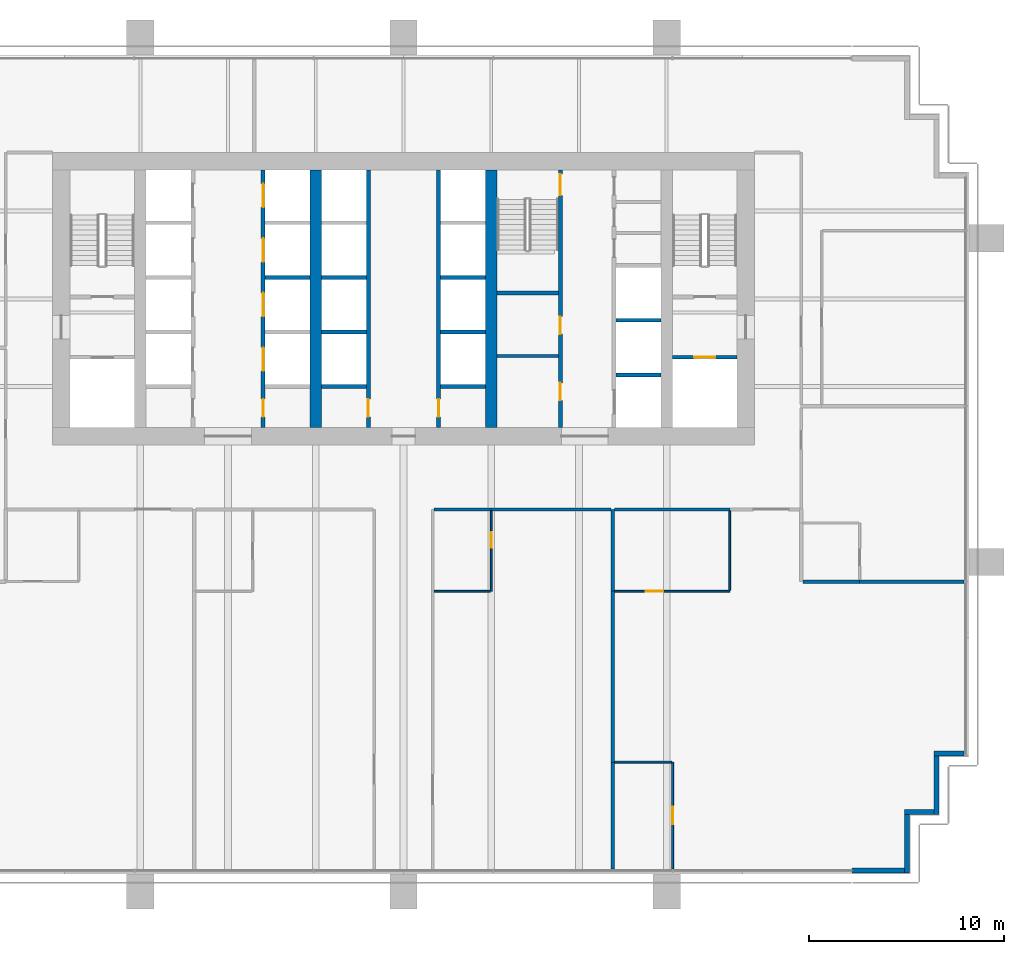
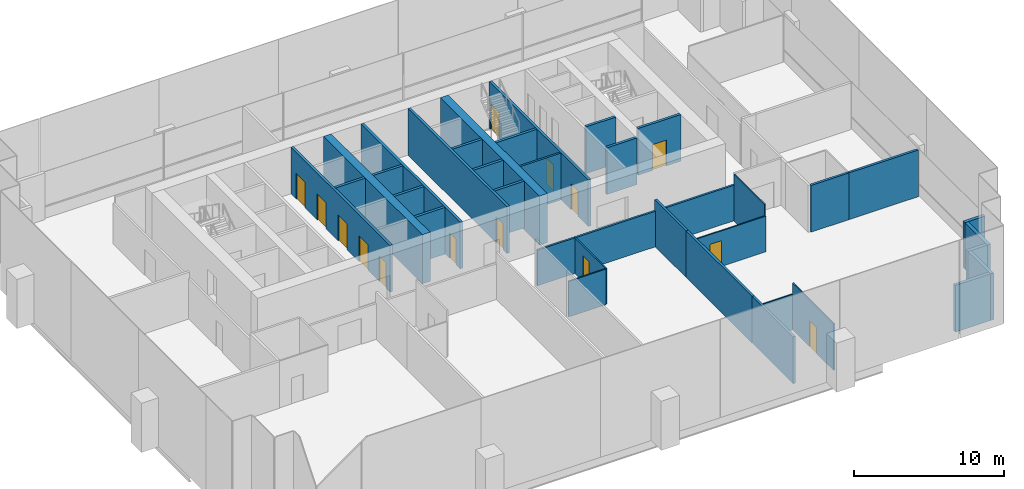
# One storey, part 11 of 16: 37 walls, 14 doors, 14 openings.
"""IFC4 building model written with IfcOpenShell, lengths in metres."""

from ifc_helpers import new_model, si_unit, direction, frame, frame_2d, origin, place, context, subcontext, project, spatial, rectangle, extrude, material, layer, layer_set, type_object, element, fill, save


model = new_model("IFC4")

# Units and contexts
model_context = context("Model", 3, precision=1e-05, world=origin(), true_north=direction((0.0, 1.0)))
body_context = subcontext(model_context, "Body", "Model", "MODEL_VIEW")
ifc_project = project(units=[si_unit("LENGTHUNIT", "METRE"), si_unit("AREAUNIT", "SQUARE_METRE"), si_unit("VOLUMEUNIT", "CUBIC_METRE"), si_unit("PLANEANGLEUNIT", "RADIAN"), si_unit("MASSUNIT", "GRAM", prefix="KILO")], contexts=[model_context])

# Site, building, storey
site_placement = place(None, origin())
site = spatial("IfcSite", under=ifc_project, at=site_placement, CompositionType="ELEMENT")
building_placement = place(site_placement, origin())
building = spatial("IfcBuilding", under=site, at=building_placement, Name="Rattan Terrace Tower", CompositionType="ELEMENT")
storey_placement = place(building_placement, frame((0.0, 0.0, 150.10009765625)))
storey = spatial("IfcBuildingStorey", under=building, at=storey_placement, Name="L34", CompositionType="ELEMENT", Elevation=150.10009765625)

# Wall
ifc_material_1 = material(Name="Gypsum board partition")
ifc_layer_1 = layer(ifc_material_1, 0.14990234375)
ifc_layer_set_1 = layer_set([ifc_layer_1], Name="Core partition 150")
wall_type_1 = type_object("IfcWallType", Name="Core partition 150", PredefinedType="PARTITIONING", material=ifc_layer_set_1)
wall_1_placement = place(storey_placement, frame((4.800048828125, -2.927978515625, 0.0), z_axis=(0.0, 0.0, 1.0), x_axis=(1.0, 0.0, 0.0)))
element("IfcWall", 1, at=wall_1_placement, inside=storey, type_object=wall_type_1, Name="Toilet wall", PredefinedType="PARTITIONING", context=body_context, shape_type="SweptSolid", body=[
    extrude(rectangle(XDim=3.14990234375, YDim=0.14990234375, at=frame_2d((1.574951171875, 0.0))), origin(), (0.0, 0.0, 1.0), 3.7998046875),
])

# Wall, opening, door
ifc_material_2 = material(Name="Gypsum board partition")
ifc_layer_2 = layer(ifc_material_2, 0.199951171875)
ifc_layer_set_2 = layer_set([ifc_layer_2], Name="Core partition 200")
wall_type_2 = type_object("IfcWallType", Name="Core partition 200", PredefinedType="PARTITIONING", material=ifc_layer_set_2)
wall_2_placement = place(storey_placement, frame((13.800048828125, -3.0, 0.0), z_axis=(0.0, 0.0, 1.0), x_axis=(1.0, 0.0, 0.0)))
wall_2 = element("IfcWall", 2, at=wall_2_placement, inside=storey, type_object=wall_type_2, Name="Fire-fighting lobby wall", PredefinedType="PARTITIONING", context=body_context, shape_type="SweptSolid", body=[
    extrude(rectangle(XDim=3.300048828125, YDim=0.199951171875, at=frame_2d((1.64990234375, 0.0))), origin(), (0.0, 0.0, 1.0), 3.7998046875),
])
opening_1_placement = place(wall_2_placement, frame((1.10009765625, 0.0, 0.0)))
opening_1 = element("IfcOpeningElement", 3, at=opening_1_placement, cuts=wall_2, Name="Opening L34-LD-FF2", PredefinedType="OPENING", context=body_context, shape_type="SweptSolid", body=[
    extrude(rectangle(XDim=1.10009765625, YDim=2.10009765625, at=frame_2d((0.550048828125, 1.050048828125))), frame((0.0, 0.110595703125, 0.0), z_axis=(0.0, -1.0, 0.0), x_axis=(1.0, 0.0, 0.0)), (0.0, 0.0, 1.0), 0.220947265625),
])
ifc_material_3 = material(Name="Brushed stainless landing door panel")
door_type_1 = type_object("IfcDoorType", Name="Core lift landing door 1100", OperationType="DOUBLE_DOOR_SLIDING", PredefinedType="DOOR", material=ifc_material_3)
door_1_placement = place(opening_1_placement, origin())
door_1 = element("IfcDoor", 4, at=door_1_placement, inside=storey, type_object=door_type_1, Name="Door L34-LD-FF2", OperationType="DOUBLE_DOOR_SLIDING", OverallHeight=2.10009765625, OverallWidth=1.10009765625, PredefinedType="DOOR", context=body_context, shape_type="SweptSolid", body=[
    extrude(rectangle(XDim=1.10009765625, YDim=2.10009765625, at=frame_2d((0.550048828125, 1.050048828125))), frame((0.0, 0.02490234375, 0.0), z_axis=(0.0, -1.0, 0.0), x_axis=(1.0, 0.0, 0.0)), (0.0, 0.0, 1.0), 0.050048828125),
])
fill(opening_1, door_1)

# Wall, openings, doors
wall_3_placement = place(storey_placement, frame((8.050048828125, -6.60009765625, 0.0), z_axis=(0.0, 0.0, 1.0), x_axis=(0.0, 1.0, 0.0)))
wall_3 = element("IfcWall", 5, at=wall_3_placement, inside=storey, type_object=wall_type_2, Name="Lobby wall west", PredefinedType="PARTITIONING", context=body_context, shape_type="SweptSolid", body=[
    extrude(rectangle(XDim=13.2001953125, YDim=0.199951171875, at=frame_2d((6.60009765625, 0.0))), origin(), (0.0, 0.0, 1.0), 3.7998046875),
])
opening_2_placement = place(wall_3_placement, frame((1.385986328125, 0.0, 0.0)))
opening_2 = element("IfcOpeningElement", 6, at=opening_2_placement, cuts=wall_3, Name="Opening L34-D011", PredefinedType="OPENING", context=body_context, shape_type="SweptSolid", body=[
    extrude(rectangle(XDim=0.89990234375, YDim=2.10009765625, at=frame_2d((0.449951171875, 1.050048828125))), frame((0.0, 0.110595703125, 0.0), z_axis=(0.0, -1.0, 0.0), x_axis=(1.0, 0.0, 0.0)), (0.0, 0.0, 1.0), 0.220947265625),
])
opening_3_placement = place(wall_3_placement, frame((4.785888671875, 0.0, 0.0)))
opening_3 = element("IfcOpeningElement", 7, at=opening_3_placement, cuts=wall_3, Name="Opening L34-D012", PredefinedType="OPENING", context=body_context, shape_type="SweptSolid", body=[
    extrude(rectangle(XDim=0.89990234375, YDim=2.10009765625, at=frame_2d((0.449951171875, 1.050048828125))), frame((0.0, 0.110595703125, 0.0), z_axis=(0.0, -1.0, 0.0), x_axis=(1.0, 0.0, 0.0)), (0.0, 0.0, 1.0), 0.220947265625),
])
opening_4_placement = place(wall_3_placement, frame((11.89990234375, 0.0, 0.0)))
opening_4 = element("IfcOpeningElement", 8, at=opening_4_placement, cuts=wall_3, Name="Opening L34-D013", PredefinedType="OPENING", context=body_context, shape_type="SweptSolid", body=[
    extrude(rectangle(XDim=1.10009765625, YDim=2.10009765625, at=frame_2d((0.550048828125, 1.050048828125))), frame((0.0, 0.110595703125, 0.0), z_axis=(0.0, -1.0, 0.0), x_axis=(1.0, 0.0, 0.0)), (0.0, 0.0, 1.0), 0.220947265625),
])
ifc_material_4 = material(Name="Hollow-metal fire door leaf")
door_type_2 = type_object("IfcDoorType", Name="Core stair door 1100", OperationType="NOTDEFINED", PredefinedType="DOOR", material=ifc_material_4)
door_2_placement = place(opening_4_placement, origin())
door_2 = element("IfcDoor", 9, at=door_2_placement, inside=storey, type_object=door_type_2, Name="Door L34-D013", OperationType="SINGLE_SWING_RIGHT", OverallHeight=2.10009765625, OverallWidth=1.10009765625, PredefinedType="DOOR", context=body_context, shape_type="SweptSolid", body=[
    extrude(rectangle(XDim=1.10009765625, YDim=2.10009765625, at=frame_2d((0.550048828125, 1.050048828125))), frame((0.0, 0.02490234375, 0.0), z_axis=(0.0, -1.0, 0.0), x_axis=(1.0, 0.0, 0.0)), (0.0, 0.0, 1.0), 0.050048828125),
])
fill(opening_4, door_2)
ifc_material_5 = material(Name="Hollow-metal fire door leaf")
door_type_3 = type_object("IfcDoorType", Name="Core toilet door 900", OperationType="NOTDEFINED", PredefinedType="DOOR", material=ifc_material_5)
door_3_placement = place(opening_2_placement, origin())
door_3 = element("IfcDoor", 10, at=door_3_placement, inside=storey, type_object=door_type_3, Name="Door L34-D011", OperationType="SINGLE_SWING_RIGHT", OverallHeight=2.10009765625, OverallWidth=0.89990234375, PredefinedType="DOOR", context=body_context, shape_type="SweptSolid", body=[
    extrude(rectangle(XDim=0.89990234375, YDim=2.10009765625, at=frame_2d((0.449951171875, 1.050048828125))), frame((0.0, 0.02490234375, 0.0), z_axis=(0.0, -1.0, 0.0), x_axis=(1.0, 0.0, 0.0)), (0.0, 0.0, 1.0), 0.050048828125),
])
fill(opening_2, door_3)
door_4_placement = place(opening_3_placement, origin())
door_4 = element("IfcDoor", 11, at=door_4_placement, inside=storey, type_object=door_type_3, Name="Door L34-D012", OperationType="SINGLE_SWING_LEFT", OverallHeight=2.10009765625, OverallWidth=0.89990234375, PredefinedType="DOOR", context=body_context, shape_type="SweptSolid", body=[
    extrude(rectangle(XDim=0.89990234375, YDim=2.10009765625, at=frame_2d((0.449951171875, 1.050048828125))), frame((0.0, 0.02490234375, 0.0), z_axis=(0.0, -1.0, 0.0), x_axis=(1.0, 0.0, 0.0)), (0.0, 0.0, 1.0), 0.050048828125),
])
fill(opening_3, door_4)

# Walls
wall_4_placement = place(storey_placement, frame((4.800048828125, 0.300048828125, 0.0), z_axis=(0.0, 0.0, 1.0), x_axis=(1.0, 0.0, 0.0)))
element("IfcWall", 12, at=wall_4_placement, inside=storey, type_object=wall_type_2, Name="Stair enclosure wall", PredefinedType="PARTITIONING", context=body_context, shape_type="SweptSolid", body=[
    extrude(rectangle(XDim=3.14990234375, YDim=0.199951171875, at=frame_2d((1.574951171875, 0.0))), origin(), (0.0, 0.0, 1.0), 3.7998046875),
])
ifc_material_6 = material(Name="Concrete C60/75", Category="concrete")
ifc_layer_3 = layer(ifc_material_6, 0.60009765625)
ifc_layer_set_3 = layer_set([ifc_layer_3], Name="Core spine wall 600 C60/75")
wall_type_3 = type_object("IfcWallType", Name="Core spine wall 600 C60/75", PredefinedType="SHEAR", material=ifc_layer_set_3)
for number, where, z_axis, x_axis, name in (
    (13, (-4.5, -6.60009765625, -0.2001953125), (0.0, 0.0, 1.0), (0.0, 1.0, 0.0), "Core spine wall 2"),
    (14, (4.5, -6.60009765625, -0.2001953125), (0.0, 0.0, 1.0), (0.0, 1.0, 0.0), "Core spine wall 3"),
):
    element("IfcWall", number, at=place(storey_placement, frame(where, z_axis=z_axis, x_axis=x_axis)), inside=storey, type_object=wall_type_3, Name=name, PredefinedType="SHEAR", context=body_context, shape_type="SweptSolid", body=[
        extrude(rectangle(XDim=13.2001953125, YDim=0.60009765625, at=frame_2d((6.60009765625, 0.0))), origin(), (0.0, 0.0, 1.0), 4.0),
    ])
ifc_material_7 = material(Name="Insulated aluminium-clad stud wall", Category="aluminium")
ifc_layer_4 = layer(ifc_material_7, 0.25)
ifc_layer_set_4 = layer_set([ifc_layer_4], Name="Facade Riser Wall 250")
wall_type_4 = type_object("IfcWallType", Name="Facade Riser Wall 250", PredefinedType="SOLIDWALL", material=ifc_layer_set_4)
wall_5_placement = place(storey_placement, frame((23.0, -29.330078125, 0.0), z_axis=(0.0, 0.0, 1.0), x_axis=(1.0, 0.0, 0.0)))
element("IfcWall", 15, at=wall_5_placement, inside=storey, type_object=wall_type_4, Name="Riser wall L34-1", PredefinedType="SOLIDWALL", context=body_context, shape_type="SweptSolid", body=[
    extrude(rectangle(XDim=2.705078125, YDim=0.25, at=frame_2d((1.3525390625, 0.0))), origin(), (0.0, 0.0, 1.0), 3.7998046875),
])
wall_6_placement = place(storey_placement, frame((25.830078125, -29.455078125, 0.0), z_axis=(0.0, 0.0, 1.0), x_axis=(0.0, 1.0, 0.0)))
element("IfcWall", 16, at=wall_6_placement, inside=storey, type_object=wall_type_4, Name="Riser wall L34-2", PredefinedType="SOLIDWALL", context=body_context, shape_type="SweptSolid", body=[
    extrude(rectangle(XDim=3.0, YDim=0.25, at=frame_2d((1.5, 0.0))), origin(), (0.0, 0.0, 1.0), 3.7998046875),
])
wall_7_placement = place(storey_placement, frame((25.705078125, -26.330078125, 0.0), z_axis=(0.0, 0.0, 1.0), x_axis=(1.0, 0.0, 0.0)))
element("IfcWall", 17, at=wall_7_placement, inside=storey, type_object=wall_type_4, Name="Riser wall L34-3", PredefinedType="SOLIDWALL", context=body_context, shape_type="SweptSolid", body=[
    extrude(rectangle(XDim=1.5, YDim=0.25, at=frame_2d((0.75, 0.0))), origin(), (0.0, 0.0, 1.0), 3.7998046875),
])
wall_8_placement = place(storey_placement, frame((27.330078125, -26.455078125, 0.0), z_axis=(0.0, 0.0, 1.0), x_axis=(0.0, 1.0, 0.0)))
element("IfcWall", 18, at=wall_8_placement, inside=storey, type_object=wall_type_4, Name="Riser wall L34-4", PredefinedType="SOLIDWALL", context=body_context, shape_type="SweptSolid", body=[
    extrude(rectangle(XDim=3.0, YDim=0.25, at=frame_2d((1.5, 0.0))), origin(), (0.0, 0.0, 1.0), 3.7998046875),
])
wall_9_placement = place(storey_placement, frame((27.205078125, -23.330078125, 0.0), z_axis=(0.0, 0.0, 1.0), x_axis=(1.0, 0.0, 0.0)))
element("IfcWall", 19, at=wall_9_placement, inside=storey, type_object=wall_type_4, Name="Riser wall L34-5", PredefinedType="SOLIDWALL", context=body_context, shape_type="SweptSolid", body=[
    extrude(rectangle(XDim=1.544921875, YDim=0.25, at=frame_2d((0.7724609375, 0.0))), origin(), (0.0, 0.0, 1.0), 3.7998046875),
])
ifc_material_8 = material(Name="Double steel stud acoustic partition, gypsum board, mineral wool, fire rated", Category="steel")
ifc_layer_5 = layer(ifc_material_8, 0.179931640625)
ifc_layer_set_5 = layer_set([ifc_layer_5], Name="Floors Acoustic Party Wall 180")
wall_type_5 = type_object("IfcWallType", Name="Floors Acoustic Party Wall 180", PredefinedType="PARTITIONING", material=ifc_layer_set_5)
wall_10_placement = place(storey_placement, frame((28.739990234375, -14.5, 0.0), z_axis=(0.0, 0.0, 1.0), x_axis=(-1.0, 0.0, 0.0)))
element("IfcWall", 20, at=wall_10_placement, inside=storey, type_object=wall_type_5, Name="pt-L34-027", PredefinedType="PARTITIONING", context=body_context, shape_type="SweptSolid", body=[
    extrude(rectangle(XDim=5.340087890625, YDim=0.179931640625, at=frame_2d((2.669921875, 0.0))), origin(), (0.0, 0.0, 1.0), 3.7998046875),
])
wall_11_placement = place(storey_placement, frame((23.39990234375, -14.5009765625, 0.0), z_axis=(0.0, 0.0, 1.0), x_axis=(-1.0, 0.0, 0.0)))
element("IfcWall", 21, at=wall_11_placement, inside=storey, type_object=wall_type_5, Name="pt-L34-029", PredefinedType="PARTITIONING", context=body_context, shape_type="SweptSolid", body=[
    extrude(rectangle(XDim=2.909912109375, YDim=0.179931640625, at=frame_2d((1.455078125, 0.0))), origin(), (0.0, 0.0, 1.0), 3.7998046875),
])
wall_12_placement = place(storey_placement, frame((10.73291015625, -14.97998046875, 0.0), z_axis=(0.0, 0.0, 1.0), x_axis=(0.0, -1.0, 0.0)))
element("IfcWall", 22, at=wall_12_placement, inside=storey, type_object=wall_type_5, Name="pt-L34-034", PredefinedType="PARTITIONING", context=body_context, shape_type="SweptSolid", body=[
    extrude(rectangle(XDim=8.800048828125, YDim=0.179931640625, at=frame_2d((4.39990234375, 0.0))), origin(), (0.0, 0.0, 1.0), 3.7998046875),
])
wall_13_placement = place(storey_placement, frame((10.73291015625, -23.780029296875, 0.0), z_axis=(0.0, 0.0, 1.0), x_axis=(0.0, -1.0, 0.0)))
element("IfcWall", 23, at=wall_13_placement, inside=storey, type_object=wall_type_5, Name="pt-L34-035", PredefinedType="PARTITIONING", context=body_context, shape_type="SweptSolid", body=[
    extrude(rectangle(XDim=5.4599609375, YDim=0.179931640625, at=frame_2d((2.72998046875, 0.0))), origin(), (0.0, 0.0, 1.0), 3.7998046875),
])
wall_14_placement = place(storey_placement, frame((10.73291015625, -10.800048828125, 0.0), z_axis=(0.0, 0.0, 1.0), x_axis=(0.0, -1.0, 0.0)))
element("IfcWall", 24, at=wall_14_placement, inside=storey, type_object=wall_type_5, Name="pt-L34-036", PredefinedType="PARTITIONING", context=body_context, shape_type="SweptSolid", body=[
    extrude(rectangle(XDim=4.179931640625, YDim=0.179931640625, at=frame_2d((2.08984375, 0.0))), origin(), (0.0, 0.0, 1.0), 3.7998046875),
])
ifc_material_9 = material(Name="Gypsum board partition on steel studs", Category="steel")
ifc_layer_6 = layer(ifc_material_9, 0.10009765625)
ifc_layer_set_6 = layer_set([ifc_layer_6], Name="Floors Partition 100")
wall_type_6 = type_object("IfcWallType", Name="Floors Partition 100", PredefinedType="PARTITIONING", material=ifc_layer_set_6)
wall_15_placement = place(storey_placement, frame((1.574951171875, -15.0, 0.0), z_axis=(0.0, 0.0, 1.0), x_axis=(1.0, 0.0, 0.0)))
element("IfcWall", 25, at=wall_15_placement, inside=storey, type_object=wall_type_6, Name="pt-L34-032", PredefinedType="PARTITIONING", context=body_context, shape_type="SweptSolid", body=[
    extrude(rectangle(XDim=2.875, YDim=0.10009765625, at=frame_2d((1.4375, 0.0))), origin(), (0.0, 0.0, 1.0), 2.89990234375),
])

# Wall, opening, door
wall_16_placement = place(storey_placement, frame((4.5, -15.0, 0.0), z_axis=(0.0, 0.0, 1.0), x_axis=(0.0, 1.0, 0.0)))
wall_16 = element("IfcWall", 26, at=wall_16_placement, inside=storey, type_object=wall_type_6, Name="pt-L34-033", PredefinedType="PARTITIONING", context=body_context, shape_type="SweptSolid", body=[
    extrude(rectangle(XDim=4.125, YDim=0.10009765625, at=frame_2d((2.0625, 0.0))), origin(), (0.0, 0.0, 1.0), 2.89990234375),
])
opening_5_placement = place(wall_16_placement, frame((2.22802734375, 0.0, 0.0)))
opening_5 = element("IfcOpeningElement", 27, at=opening_5_placement, cuts=wall_16, Name="Opening L34-D107", PredefinedType="OPENING", context=body_context, shape_type="SweptSolid", body=[
    extrude(rectangle(XDim=0.800048828125, YDim=2.10009765625, at=frame_2d((0.39990234375, 1.050048828125))), frame((0.0, 0.060546875, 0.0), z_axis=(0.0, -1.0, 0.0), x_axis=(1.0, 0.0, 0.0)), (0.0, 0.0, 1.0), 0.12109375),
])
ifc_material_10 = material(Name="Solid core timber door, painted", Category="wood")
door_type_4 = type_object("IfcDoorType", Name="Floors Store Door 800x2100", OperationType="NOTDEFINED", PredefinedType="DOOR", material=ifc_material_10)
door_5_placement = place(opening_5_placement, origin())
door_5 = element("IfcDoor", 28, at=door_5_placement, inside=storey, type_object=door_type_4, Name="d-L34-107", OperationType="SINGLE_SWING_RIGHT", OverallHeight=2.10009765625, OverallWidth=0.800048828125, PredefinedType="DOOR", context=body_context, shape_type="SweptSolid", body=[
    extrude(rectangle(XDim=0.800048828125, YDim=2.10009765625, at=frame_2d((0.39990234375, 1.050048828125))), frame((0.0, 0.02490234375, 0.0), z_axis=(0.0, -1.0, 0.0), x_axis=(1.0, 0.0, 0.0)), (0.0, 0.0, 1.0), 0.050048828125),
])
fill(opening_5, door_5)

# Wall
wall_17_placement = place(storey_placement, frame((13.75, -23.760009765625, 0.0), z_axis=(0.0, 0.0, 1.0), x_axis=(-1.0, 0.0, 0.0)))
element("IfcWall", 29, at=wall_17_placement, inside=storey, type_object=wall_type_6, Name="pt-L34-037", PredefinedType="PARTITIONING", context=body_context, shape_type="SweptSolid", body=[
    extrude(rectangle(XDim=2.927001953125, YDim=0.10009765625, at=frame_2d((1.46337890625, 0.0))), origin(), (0.0, 0.0, 1.0), 2.89990234375),
])

# Wall, opening, door
wall_18_placement = place(storey_placement, frame((13.800048828125, -29.239990234375, 0.0), z_axis=(0.0, 0.0, 1.0), x_axis=(0.0, 1.0, 0.0)))
wall_18 = element("IfcWall", 30, at=wall_18_placement, inside=storey, type_object=wall_type_6, Name="pt-L34-038", PredefinedType="PARTITIONING", context=body_context, shape_type="SweptSolid", body=[
    extrude(rectangle(XDim=5.47998046875, YDim=0.10009765625, at=frame_2d((2.739990234375, 0.0))), origin(), (0.0, 0.0, 1.0), 3.7998046875),
])
opening_6_placement = place(wall_18_placement, frame((2.2900390625, 0.0, 0.0)))
opening_6 = element("IfcOpeningElement", 31, at=opening_6_placement, cuts=wall_18, Name="Opening L34-D109", PredefinedType="OPENING", context=body_context, shape_type="SweptSolid", body=[
    extrude(rectangle(XDim=0.89990234375, YDim=2.10009765625, at=frame_2d((0.449951171875, 1.050048828125))), frame((0.0, 0.060546875, 0.0), z_axis=(0.0, -1.0, 0.0), x_axis=(1.0, 0.0, 0.0)), (0.0, 0.0, 1.0), 0.12109375),
])
ifc_material_11 = material(Name="Solid core timber door, painted", Category="wood")
door_type_5 = type_object("IfcDoorType", Name="Floors Door 900x2100", OperationType="NOTDEFINED", PredefinedType="DOOR", material=ifc_material_11)
door_6_placement = place(opening_6_placement, origin())
door_6 = element("IfcDoor", 32, at=door_6_placement, inside=storey, type_object=door_type_5, Name="d-L34-109", OperationType="SINGLE_SWING_RIGHT", OverallHeight=2.10009765625, OverallWidth=0.89990234375, PredefinedType="DOOR", context=body_context, shape_type="SweptSolid", body=[
    extrude(rectangle(XDim=0.89990234375, YDim=2.10009765625, at=frame_2d((0.449951171875, 1.050048828125))), frame((0.0, 0.02490234375, 0.0), z_axis=(0.0, -1.0, 0.0), x_axis=(1.0, 0.0, 0.0)), (0.0, 0.0, 1.0), 0.050048828125),
])
fill(opening_6, door_6)

wall_19_placement = place(storey_placement, frame((10.822998046875, -15.0, 0.0), z_axis=(0.0, 0.0, 1.0), x_axis=(1.0, 0.0, 0.0)))
wall_19 = element("IfcWall", 33, at=wall_19_placement, inside=storey, type_object=wall_type_6, Name="pt-L34-039", PredefinedType="PARTITIONING", context=body_context, shape_type="SweptSolid", body=[
    extrude(rectangle(XDim=5.909912109375, YDim=0.10009765625, at=frame_2d((2.955078125, 0.0))), origin(), (0.0, 0.0, 1.0), 2.89990234375),
])
opening_7_placement = place(wall_19_placement, frame((1.60302734375, 0.0, 0.0)))
opening_7 = element("IfcOpeningElement", 34, at=opening_7_placement, cuts=wall_19, Name="Opening L34-D110", PredefinedType="OPENING", context=body_context, shape_type="SweptSolid", body=[
    extrude(rectangle(XDim=0.89990234375, YDim=2.10009765625, at=frame_2d((0.449951171875, 1.050048828125))), frame((0.0, 0.060546875, 0.0), z_axis=(0.0, -1.0, 0.0), x_axis=(1.0, 0.0, 0.0)), (0.0, 0.0, 1.0), 0.12109375),
])
door_7_placement = place(opening_7_placement, origin())
door_7 = element("IfcDoor", 35, at=door_7_placement, inside=storey, type_object=door_type_5, Name="d-L34-110", OperationType="SINGLE_SWING_LEFT", OverallHeight=2.10009765625, OverallWidth=0.89990234375, PredefinedType="DOOR", context=body_context, shape_type="SweptSolid", body=[
    extrude(rectangle(XDim=0.89990234375, YDim=2.10009765625, at=frame_2d((0.449951171875, 1.050048828125))), frame((0.0, 0.02490234375, 0.0), z_axis=(0.0, -1.0, 0.0), x_axis=(1.0, 0.0, 0.0)), (0.0, 0.0, 1.0), 0.050048828125),
])
fill(opening_7, door_7)

# Walls
wall_20_placement = place(storey_placement, frame((16.73291015625, -14.949951171875, 0.0), z_axis=(0.0, 0.0, 1.0), x_axis=(0.0, 1.0, 0.0)))
element("IfcWall", 36, at=wall_20_placement, inside=storey, type_object=wall_type_6, Name="pt-L34-040", PredefinedType="PARTITIONING", context=body_context, shape_type="SweptSolid", body=[
    extrude(rectangle(XDim=4.074951171875, YDim=0.10009765625, at=frame_2d((2.03759765625, 0.0))), origin(), (0.0, 0.0, 1.0), 3.7998046875),
])
ifc_material_12 = material(Name="Gypsum board partition on steel studs, fire rated", Category="steel")
ifc_layer_7 = layer(ifc_material_12, 0.14990234375)
ifc_layer_set_7 = layer_set([ifc_layer_7], Name="Floors Tenancy Wall 150")
wall_type_7 = type_object("IfcWallType", Name="Floors Tenancy Wall 150", PredefinedType="PARTITIONING", material=ifc_layer_set_7)
wall_21_placement = place(storey_placement, frame((10.64306640625, -10.800048828125, 0.0), z_axis=(0.0, 0.0, 1.0), x_axis=(-1.0, 0.0, 0.0)))
element("IfcWall", 37, at=wall_21_placement, inside=storey, type_object=wall_type_7, Name="pt-L34-008", PredefinedType="PARTITIONING", context=body_context, shape_type="SweptSolid", body=[
    extrude(rectangle(XDim=6.1630859375, YDim=0.14990234375, at=frame_2d((3.08154296875, 0.0))), origin(), (0.0, 0.0, 1.0), 2.89990234375),
])
wall_22_placement = place(storey_placement, frame((4.47998046875, -10.800048828125, 0.0), z_axis=(0.0, 0.0, 1.0), x_axis=(-1.0, 0.0, 0.0)))
element("IfcWall", 38, at=wall_22_placement, inside=storey, type_object=wall_type_7, Name="pt-L34-010", PredefinedType="PARTITIONING", context=body_context, shape_type="SweptSolid", body=[
    extrude(rectangle(XDim=2.905029296875, YDim=0.14990234375, at=frame_2d((1.45263671875, 0.0))), origin(), (0.0, 0.0, 1.0), 2.89990234375),
])
wall_23_placement = place(storey_placement, frame((16.7529296875, -10.800048828125, 0.0), z_axis=(0.0, 0.0, 1.0), x_axis=(-1.0, 0.0, 0.0)))
element("IfcWall", 39, at=wall_23_placement, inside=storey, type_object=wall_type_7, Name="pt-L34-012", PredefinedType="PARTITIONING", context=body_context, shape_type="SweptSolid", body=[
    extrude(rectangle(XDim=5.929931640625, YDim=0.14990234375, at=frame_2d((2.96484375, 0.0))), origin(), (0.0, 0.0, 1.0), 2.89990234375),
])

# Wall, openings, doors
ifc_material_13 = material(Name="Gypsum shaft wall system")
ifc_layer_8 = layer(ifc_material_13, 0.199951171875)
ifc_layer_set_8 = layer_set([ifc_layer_8], Name="Lift shaft wall 200")
wall_type_8 = type_object("IfcWallType", Name="Lift shaft wall 200", PredefinedType="PARTITIONING", material=ifc_layer_set_8)
wall_24_placement = place(storey_placement, frame((-7.199951171875, -6.60009765625, 0.0), z_axis=(0.0, 0.0, 1.0), x_axis=(0.0, 1.0, 0.0)))
wall_24 = element("IfcWall", 40, at=wall_24_placement, inside=storey, type_object=wall_type_8, Name="Lift shaft front wall", PredefinedType="PARTITIONING", context=body_context, shape_type="SweptSolid", body=[
    extrude(rectangle(XDim=13.2001953125, YDim=0.199951171875, at=frame_2d((6.60009765625, 0.0))), origin(), (0.0, 0.0, 1.0), 3.7998046875),
])
opening_8_placement = place(wall_24_placement, frame((0.550048828125, 0.0, 0.0)))
opening_8 = element("IfcOpeningElement", 41, at=opening_8_placement, cuts=wall_24, Name="Opening L34-D006", PredefinedType="OPENING", context=body_context, shape_type="SweptSolid", body=[
    extrude(rectangle(XDim=0.89990234375, YDim=2.10009765625, at=frame_2d((0.449951171875, 1.050048828125))), frame((0.0, 0.110595703125, 0.0), z_axis=(0.0, -1.0, 0.0), x_axis=(1.0, 0.0, 0.0)), (0.0, 0.0, 1.0), 0.220947265625),
])
opening_9_placement = place(wall_24_placement, frame((2.89990234375, 0.0, 0.0)))
opening_9 = element("IfcOpeningElement", 42, at=opening_9_placement, cuts=wall_24, Name="Opening L34-LD-LR5", PredefinedType="OPENING", context=body_context, shape_type="SweptSolid", body=[
    extrude(rectangle(XDim=1.199951171875, YDim=2.10009765625, at=frame_2d((0.60009765625, 1.050048828125))), frame((0.0, 0.110595703125, 0.0), z_axis=(0.0, -1.0, 0.0), x_axis=(1.0, 0.0, 0.0)), (0.0, 0.0, 1.0), 0.220947265625),
])
opening_10_placement = place(wall_24_placement, frame((5.699951171875, 0.0, 0.0)))
opening_10 = element("IfcOpeningElement", 43, at=opening_10_placement, cuts=wall_24, Name="Opening L34-LD-LR6", PredefinedType="OPENING", context=body_context, shape_type="SweptSolid", body=[
    extrude(rectangle(XDim=1.199951171875, YDim=2.10009765625, at=frame_2d((0.60009765625, 1.050048828125))), frame((0.0, 0.110595703125, 0.0), z_axis=(0.0, -1.0, 0.0), x_axis=(1.0, 0.0, 0.0)), (0.0, 0.0, 1.0), 0.220947265625),
])
opening_11_placement = place(wall_24_placement, frame((8.5, 0.0, 0.0)))
opening_11 = element("IfcOpeningElement", 44, at=opening_11_placement, cuts=wall_24, Name="Opening L34-LD-LR7", PredefinedType="OPENING", context=body_context, shape_type="SweptSolid", body=[
    extrude(rectangle(XDim=1.199951171875, YDim=2.10009765625, at=frame_2d((0.60009765625, 1.050048828125))), frame((0.0, 0.110595703125, 0.0), z_axis=(0.0, -1.0, 0.0), x_axis=(1.0, 0.0, 0.0)), (0.0, 0.0, 1.0), 0.220947265625),
])
opening_12_placement = place(wall_24_placement, frame((11.300048828125, 0.0, 0.0)))
opening_12 = element("IfcOpeningElement", 45, at=opening_12_placement, cuts=wall_24, Name="Opening L34-LD-LR8", PredefinedType="OPENING", context=body_context, shape_type="SweptSolid", body=[
    extrude(rectangle(XDim=1.199951171875, YDim=2.10009765625, at=frame_2d((0.60009765625, 1.050048828125))), frame((0.0, 0.110595703125, 0.0), z_axis=(0.0, -1.0, 0.0), x_axis=(1.0, 0.0, 0.0)), (0.0, 0.0, 1.0), 0.220947265625),
])
ifc_material_14 = material(Name="Brushed stainless landing door panel")
door_type_6 = type_object("IfcDoorType", Name="Core lift landing door 1200", OperationType="DOUBLE_DOOR_SLIDING", PredefinedType="DOOR", material=ifc_material_14)
door_8_placement = place(opening_9_placement, origin())
door_8 = element("IfcDoor", 46, at=door_8_placement, inside=storey, type_object=door_type_6, Name="Door L34-LD-LR5", OperationType="DOUBLE_DOOR_SLIDING", OverallHeight=2.10009765625, OverallWidth=1.199951171875, PredefinedType="DOOR", context=body_context, shape_type="SweptSolid", body=[
    extrude(rectangle(XDim=1.199951171875, YDim=2.10009765625, at=frame_2d((0.60009765625, 1.050048828125))), frame((0.0, 0.02490234375, 0.0), z_axis=(0.0, -1.0, 0.0), x_axis=(1.0, 0.0, 0.0)), (0.0, 0.0, 1.0), 0.050048828125),
])
fill(opening_9, door_8)
door_9_placement = place(opening_10_placement, origin())
door_9 = element("IfcDoor", 47, at=door_9_placement, inside=storey, type_object=door_type_6, Name="Door L34-LD-LR6", OperationType="DOUBLE_DOOR_SLIDING", OverallHeight=2.10009765625, OverallWidth=1.199951171875, PredefinedType="DOOR", context=body_context, shape_type="SweptSolid", body=[
    extrude(rectangle(XDim=1.199951171875, YDim=2.10009765625, at=frame_2d((0.60009765625, 1.050048828125))), frame((0.0, 0.02490234375, 0.0), z_axis=(0.0, -1.0, 0.0), x_axis=(1.0, 0.0, 0.0)), (0.0, 0.0, 1.0), 0.050048828125),
])
fill(opening_10, door_9)
door_10_placement = place(opening_11_placement, origin())
door_10 = element("IfcDoor", 48, at=door_10_placement, inside=storey, type_object=door_type_6, Name="Door L34-LD-LR7", OperationType="DOUBLE_DOOR_SLIDING", OverallHeight=2.10009765625, OverallWidth=1.199951171875, PredefinedType="DOOR", context=body_context, shape_type="SweptSolid", body=[
    extrude(rectangle(XDim=1.199951171875, YDim=2.10009765625, at=frame_2d((0.60009765625, 1.050048828125))), frame((0.0, 0.02490234375, 0.0), z_axis=(0.0, -1.0, 0.0), x_axis=(1.0, 0.0, 0.0)), (0.0, 0.0, 1.0), 0.050048828125),
])
fill(opening_11, door_10)
door_11_placement = place(opening_12_placement, origin())
door_11 = element("IfcDoor", 49, at=door_11_placement, inside=storey, type_object=door_type_6, Name="Door L34-LD-LR8", OperationType="DOUBLE_DOOR_SLIDING", OverallHeight=2.10009765625, OverallWidth=1.199951171875, PredefinedType="DOOR", context=body_context, shape_type="SweptSolid", body=[
    extrude(rectangle(XDim=1.199951171875, YDim=2.10009765625, at=frame_2d((0.60009765625, 1.050048828125))), frame((0.0, 0.02490234375, 0.0), z_axis=(0.0, -1.0, 0.0), x_axis=(1.0, 0.0, 0.0)), (0.0, 0.0, 1.0), 0.050048828125),
])
fill(opening_12, door_11)
ifc_material_15 = material(Name="Hollow-metal fire door leaf")
door_type_7 = type_object("IfcDoorType", Name="Core riser door 900", OperationType="NOTDEFINED", PredefinedType="DOOR", material=ifc_material_15)
door_12_placement = place(opening_8_placement, origin())
door_12 = element("IfcDoor", 50, at=door_12_placement, inside=storey, type_object=door_type_7, Name="Door L34-D006", OperationType="SINGLE_SWING_RIGHT", OverallHeight=2.10009765625, OverallWidth=0.89990234375, PredefinedType="DOOR", context=body_context, shape_type="SweptSolid", body=[
    extrude(rectangle(XDim=0.89990234375, YDim=2.10009765625, at=frame_2d((0.449951171875, 1.050048828125))), frame((0.0, 0.02490234375, 0.0), z_axis=(0.0, -1.0, 0.0), x_axis=(1.0, 0.0, 0.0)), (0.0, 0.0, 1.0), 0.050048828125),
])
fill(opening_8, door_12)

# Wall
wall_25_placement = place(storey_placement, frame((-7.10009765625, 1.10009765625, 0.0), z_axis=(0.0, 0.0, 1.0), x_axis=(1.0, 0.0, 0.0)))
element("IfcWall", 51, at=wall_25_placement, inside=storey, type_object=wall_type_8, Name="Lift shaft wall", PredefinedType="PARTITIONING", context=body_context, shape_type="SweptSolid", body=[
    extrude(rectangle(XDim=2.300048828125, YDim=0.199951171875, at=frame_2d((1.14990234375, 0.0))), origin(), (0.0, 0.0, 1.0), 3.7998046875),
])

# Wall, opening, door
wall_26_placement = place(storey_placement, frame((-1.800048828125, -6.60009765625, 0.0), z_axis=(0.0, 0.0, 1.0), x_axis=(0.0, 1.0, 0.0)))
wall_26 = element("IfcWall", 52, at=wall_26_placement, inside=storey, type_object=wall_type_8, Name="Lift shaft front wall", PredefinedType="PARTITIONING", context=body_context, shape_type="SweptSolid", body=[
    extrude(rectangle(XDim=13.2001953125, YDim=0.199951171875, at=frame_2d((6.60009765625, 0.0))), origin(), (0.0, 0.0, 1.0), 3.7998046875),
])
opening_13_placement = place(wall_26_placement, frame((0.550048828125, 0.0, 0.0)))
opening_13 = element("IfcOpeningElement", 53, at=opening_13_placement, cuts=wall_26, Name="Opening L34-D008", PredefinedType="OPENING", context=body_context, shape_type="SweptSolid", body=[
    extrude(rectangle(XDim=0.89990234375, YDim=2.10009765625, at=frame_2d((0.449951171875, 1.050048828125))), frame((0.0, 0.110595703125, 0.0), z_axis=(0.0, -1.0, 0.0), x_axis=(1.0, 0.0, 0.0)), (0.0, 0.0, 1.0), 0.220947265625),
])
door_13_placement = place(opening_13_placement, origin())
door_13 = element("IfcDoor", 54, at=door_13_placement, inside=storey, type_object=door_type_7, Name="Door L34-D008", OperationType="SINGLE_SWING_LEFT", OverallHeight=2.10009765625, OverallWidth=0.89990234375, PredefinedType="DOOR", context=body_context, shape_type="SweptSolid", body=[
    extrude(rectangle(XDim=0.89990234375, YDim=2.10009765625, at=frame_2d((0.449951171875, 1.050048828125))), frame((0.0, 0.02490234375, 0.0), z_axis=(0.0, -1.0, 0.0), x_axis=(1.0, 0.0, 0.0)), (0.0, 0.0, 1.0), 0.050048828125),
])
fill(opening_13, door_13)

wall_27_placement = place(storey_placement, frame((1.800048828125, -6.60009765625, 0.0), z_axis=(0.0, 0.0, 1.0), x_axis=(0.0, 1.0, 0.0)))
wall_27 = element("IfcWall", 55, at=wall_27_placement, inside=storey, type_object=wall_type_8, Name="Lift shaft front wall", PredefinedType="PARTITIONING", context=body_context, shape_type="SweptSolid", body=[
    extrude(rectangle(XDim=13.2001953125, YDim=0.199951171875, at=frame_2d((6.60009765625, 0.0))), origin(), (0.0, 0.0, 1.0), 3.7998046875),
])
opening_14_placement = place(wall_27_placement, frame((0.550048828125, 0.0, 0.0)))
opening_14 = element("IfcOpeningElement", 56, at=opening_14_placement, cuts=wall_27, Name="Opening L34-D009", PredefinedType="OPENING", context=body_context, shape_type="SweptSolid", body=[
    extrude(rectangle(XDim=0.89990234375, YDim=2.10009765625, at=frame_2d((0.449951171875, 1.050048828125))), frame((0.0, 0.110595703125, 0.0), z_axis=(0.0, -1.0, 0.0), x_axis=(1.0, 0.0, 0.0)), (0.0, 0.0, 1.0), 0.220947265625),
])
door_14_placement = place(opening_14_placement, origin())
door_14 = element("IfcDoor", 57, at=door_14_placement, inside=storey, type_object=door_type_7, Name="Door L34-D009", OperationType="SINGLE_SWING_RIGHT", OverallHeight=2.10009765625, OverallWidth=0.89990234375, PredefinedType="DOOR", context=body_context, shape_type="SweptSolid", body=[
    extrude(rectangle(XDim=0.89990234375, YDim=2.10009765625, at=frame_2d((0.449951171875, 1.050048828125))), frame((0.0, 0.02490234375, 0.0), z_axis=(0.0, -1.0, 0.0), x_axis=(1.0, 0.0, 0.0)), (0.0, 0.0, 1.0), 0.050048828125),
])
fill(opening_14, door_14)

# Walls
for number, where, z_axis, x_axis, name in (
    (58, (-4.199951171875, -1.699951171875, 0.0), (0.0, 0.0, 1.0), (1.0, 0.0, 0.0), "Lift shaft wall"),
    (59, (-4.199951171875, 1.10009765625, 0.0), (0.0, 0.0, 1.0), (1.0, 0.0, 0.0), "Lift shaft wall"),
    (60, (-4.199951171875, -4.5, 0.0), (0.0, 0.0, 1.0), (1.0, 0.0, 0.0), "Lift shaft wall"),
    (61, (1.89990234375, -1.699951171875, 0.0), (0.0, 0.0, 1.0), (1.0, 0.0, 0.0), "Lift shaft wall"),
    (62, (1.89990234375, 1.10009765625, 0.0), (0.0, 0.0, 1.0), (1.0, 0.0, 0.0), "Lift shaft wall"),
    (63, (1.89990234375, -4.5, 0.0), (0.0, 0.0, 1.0), (1.0, 0.0, 0.0), "Lift shaft wall"),
    (64, (10.89990234375, -3.89990234375, 0.0), (0.0, 0.0, 1.0), (1.0, 0.0, 0.0), "Lift shaft wall"),
    (65, (10.89990234375, -1.10009765625, 0.0), (0.0, 0.0, 1.0), (1.0, 0.0, 0.0), "Lift shaft wall"),
):
    element("IfcWall", number, at=place(storey_placement, frame(where, z_axis=z_axis, x_axis=x_axis)), inside=storey, type_object=wall_type_8, Name=name, PredefinedType="PARTITIONING", context=body_context, shape_type="SweptSolid", body=[
        extrude(rectangle(XDim=2.300048828125, YDim=0.199951171875, at=frame_2d((1.14990234375, 0.0))), origin(), (0.0, 0.0, 1.0), 3.7998046875),
    ])

save(model, "model.ifc")
